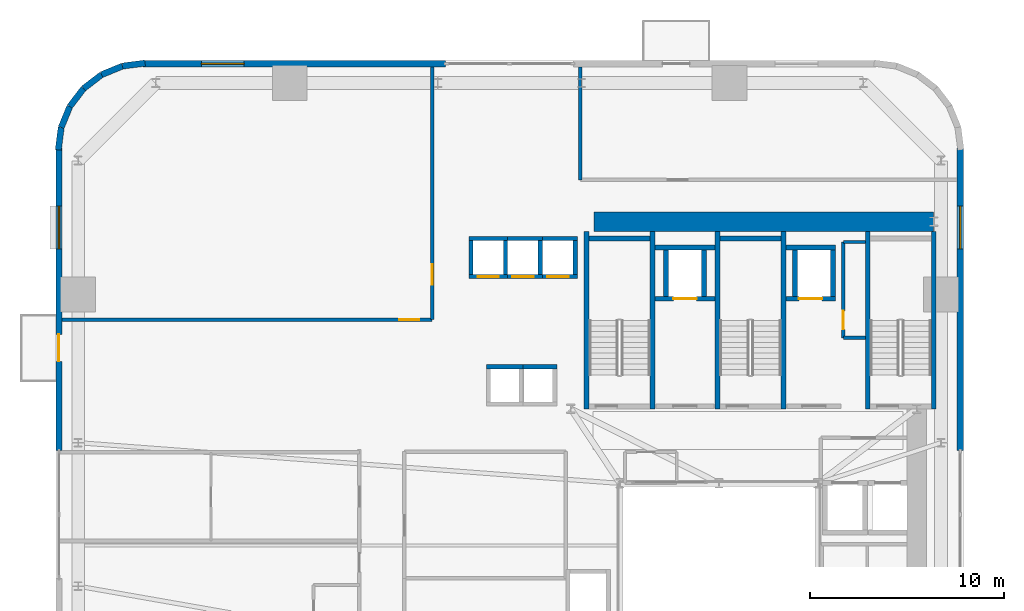
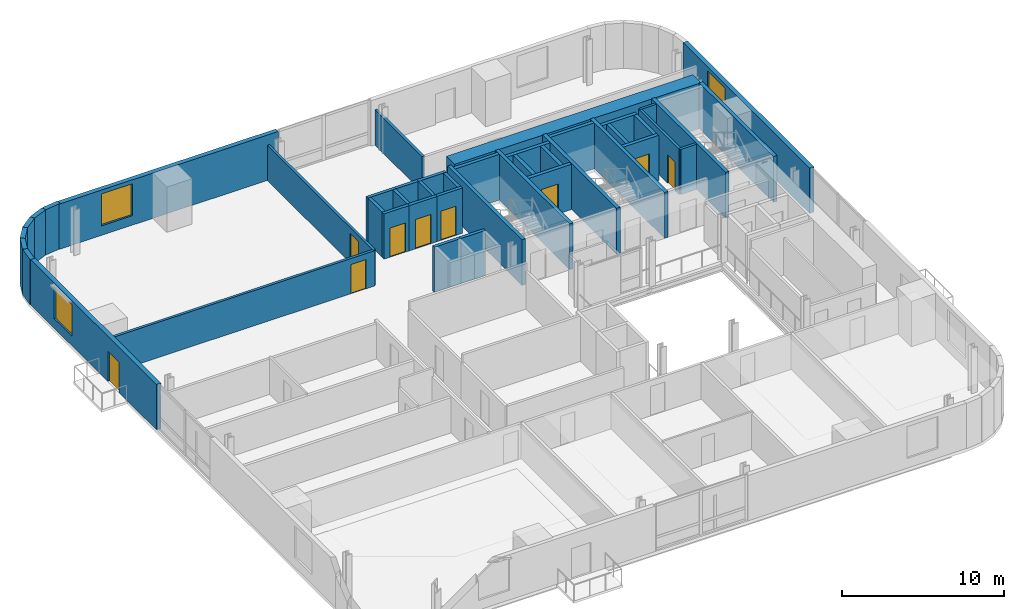
# One storey, part 8 of 13: 44 walls, 9 doors, 3 windows, 12 openings.
"""IFC4 building model written with IfcOpenShell, lengths in metres."""

from ifc_helpers import new_model, si_unit, direction, frame, frame_2d, origin, place, context, subcontext, project, spatial, rectangle, extrude, source, transform, mapped, material, layer, layer_set, type_object, element, fill, save


model = new_model("IFC4")

# Units and contexts
model_context = context("Model", 3, precision=1e-05, world=origin(), true_north=direction((0.0, 1.0)))
body_context = subcontext(model_context, "Body", "Model", "MODEL_VIEW")
ifc_project = project(units=[si_unit("LENGTHUNIT", "METRE"), si_unit("AREAUNIT", "SQUARE_METRE"), si_unit("VOLUMEUNIT", "CUBIC_METRE"), si_unit("PLANEANGLEUNIT", "RADIAN"), si_unit("MASSUNIT", "GRAM", prefix="KILO")], contexts=[model_context])

# Site, building, storey
site_placement = place(None, origin())
site = spatial("IfcSite", under=ifc_project, at=site_placement, CompositionType="ELEMENT")
building_placement = place(site_placement, origin())
building = spatial("IfcBuilding", under=site, at=building_placement, Name="Vardaveli Station Tower", CompositionType="ELEMENT")
storey_placement = place(building_placement, frame((0.0, 0.0, 31.25)))
storey = spatial("IfcBuildingStorey", under=building, at=storey_placement, Name="L07", CompositionType="ELEMENT", Elevation=31.25)

# Wall
ifc_material_1 = material(Name="Concrete C60/75", Category="concrete")
ifc_layer_1 = layer(ifc_material_1, 1.0, Name="Concrete C60/75")
ifc_layer_set_1 = layer_set([ifc_layer_1], Name="Concrete C60/75")
wall_type_1 = type_object("IfcWallType", Name="WAL-CORE-1000", PredefinedType="SHEAR", material=ifc_layer_set_1)
shared_shape_1 = source(origin(), body_context, "Body", "SweptSolid", [
    extrude(rectangle(XDim=17.52001953125, YDim=1.0, at=frame_2d((8.760009765625, 0.0))), origin(), (0.0, 0.0, 1.0), 3.409912109375),
])
wall_1_placement = place(storey_placement, frame((29.85009765625, 40.300048828125, 0.0), z_axis=(0.0, 0.0, 1.0), x_axis=(1.0, 0.0, 0.0)))
element("IfcWall", 1, at=wall_1_placement, inside=storey, type_object=wall_type_1, Name="SW-L07-NORTH", PredefinedType="SHEAR", context=body_context, shape_type="MappedRepresentation", body=[
    mapped(shared_shape_1, transform((0.0, 0.0, 0.0), scale=1.0)),
])

# Wall, opening, window
ifc_material_2 = material(Name="Precast concrete C45/55", Category="concrete")
ifc_layer_2 = layer(ifc_material_2, 0.320068359375, Name="Precast concrete C45/55")
ifc_layer_set_2 = layer_set([ifc_layer_2], Name="Precast concrete C45/55")
wall_type_2 = type_object("IfcWallType", Name="WAL-EXT-STONE-320", PredefinedType="SOLIDWALL", material=ifc_layer_set_2)
shared_shape_2 = source(origin(), body_context, "Body", "SweptSolid", [
    extrude(rectangle(XDim=15.599853515625, YDim=0.320068359375, at=frame_2d((7.7998046875, 0.0))), origin(), (0.0, 0.0, 1.0), 3.409912109375),
])
wall_2_placement = place(storey_placement, frame((22.199951171875, 48.43994140625, 0.0), z_axis=(0.0, 0.0, 1.0), x_axis=(-1.0, 0.0, 0.0)))
wall_2 = element("IfcWall", 2, at=wall_2_placement, inside=storey, type_object=wall_type_2, Name="EW-L07-N2", PredefinedType="SOLIDWALL", context=body_context, shape_type="MappedRepresentation", body=[
    mapped(shared_shape_2, transform((0.0, 0.0, 0.0), scale=1.0)),
])
shared_shape_3 = source(origin(), body_context, "Body", "SweptSolid", [
    extrude(rectangle(XDim=2.199951171875, YDim=2.39990234375, at=frame_2d((1.10009765625, 1.199951171875))), frame((0.0, 0.169921875, 0.0), z_axis=(0.0, -1.0, 0.0), x_axis=(1.0, 0.0, 0.0)), (0.0, 0.0, 1.0), 0.340087890625),
])
opening_1_placement = place(wall_2_placement, frame((10.39501953125, 0.0, 0.719970703125)))
opening_1 = element("IfcOpeningElement", 3, at=opening_1_placement, cuts=wall_2, Name="Opening W-03", PredefinedType="OPENING", context=body_context, shape_type="MappedRepresentation", body=[
    mapped(shared_shape_3, transform((0.0, 0.0, 0.0), scale=1.0)),
])
ifc_material_3 = material(Name="Low-E solar-control glass", Category="glass")
window_type = type_object("IfcWindowType", Name="WIN-LOG-2200x2400", PartitioningType="SINGLE_PANEL", PredefinedType="WINDOW", material=ifc_material_3)
shared_shape_4 = source(origin(), body_context, "Body", "SweptSolid", [
    extrude(rectangle(XDim=2.199951171875, YDim=2.39990234375, at=frame_2d((1.10009765625, 1.199951171875))), frame((0.0, 0.030029296875, 0.0), z_axis=(0.0, -1.0, 0.0), x_axis=(1.0, 0.0, 0.0)), (0.0, 0.0, 1.0), 0.06005859375),
])
window_1_placement = place(opening_1_placement, origin())
window_1 = element("IfcWindow", 4, at=window_1_placement, inside=storey, type_object=window_type, Name="WN-L07-N2", OverallHeight=2.39990234375, OverallWidth=2.199951171875, PartitioningType="SINGLE_PANEL", PredefinedType="WINDOW", context=body_context, shape_type="MappedRepresentation", body=[
    mapped(shared_shape_4, transform((0.0, 0.0, 0.0), scale=1.0)),
])
fill(opening_1, window_1)

# Wall, openings, door, window
shared_shape_5 = source(origin(), body_context, "Body", "SweptSolid", [
    extrude(rectangle(XDim=15.60009765625, YDim=0.320068359375, at=frame_2d((7.800048828125, 0.0))), origin(), (0.0, 0.0, 1.0), 3.409912109375),
])
wall_3_placement = place(storey_placement, frame((2.260009765625, 44.10009765625, 0.0), z_axis=(0.0, 0.0, 1.0), x_axis=(0.0, -1.0, 0.0)))
wall_3 = element("IfcWall", 5, at=wall_3_placement, inside=storey, type_object=wall_type_2, Name="EW-L07-W1", PredefinedType="SOLIDWALL", context=body_context, shape_type="MappedRepresentation", body=[
    mapped(shared_shape_5, transform((0.0, 0.0, 0.0), scale=1.0)),
])
shared_shape_6 = source(origin(), body_context, "Body", "SweptSolid", [
    extrude(rectangle(XDim=1.39990234375, YDim=2.300048828125, at=frame_2d((0.699951171875, 1.14990234375))), frame((0.0, 0.169921875, 0.0), z_axis=(0.0, -1.0, 0.0), x_axis=(1.0, 0.0, 0.0)), (0.0, 0.0, 1.0), 0.340087890625),
])
opening_2_placement = place(wall_3_placement, frame((9.6103515625, 0.0, 0.0)))
opening_2 = element("IfcOpeningElement", 6, at=opening_2_placement, cuts=wall_3, Name="Opening D-09", PredefinedType="OPENING", context=body_context, shape_type="MappedRepresentation", body=[
    mapped(shared_shape_6, transform((0.0, 0.0, 0.0), scale=1.0)),
])
opening_3_placement = place(wall_3_placement, frame((3.0048828125, 0.0, 0.719970703125)))
opening_3 = element("IfcOpeningElement", 7, at=opening_3_placement, cuts=wall_3, Name="Opening W-03", PredefinedType="OPENING", context=body_context, shape_type="MappedRepresentation", body=[
    mapped(shared_shape_3, transform((0.0, 0.0, 0.0), scale=1.0)),
])
ifc_material_4 = material(Name="Thermally broken aluminium glass", Category="aluminium")
door_type_1 = type_object("IfcDoorType", Name="DR-LOG-1400x2300", OperationType="DOUBLE_DOOR_SLIDING", PredefinedType="DOOR", material=ifc_material_4)
shared_shape_7 = source(origin(), body_context, "Body", "SweptSolid", [
    extrude(rectangle(XDim=1.39990234375, YDim=2.300048828125, at=frame_2d((0.699951171875, 1.14990234375))), frame((0.0, 0.02490234375, 0.0), z_axis=(0.0, -1.0, 0.0), x_axis=(1.0, 0.0, 0.0)), (0.0, 0.0, 1.0), 0.050048828125),
])
door_1_placement = place(opening_2_placement, frame((1.39990234375, 0.0, 0.0), z_axis=(0.0, 0.0, 1.0), x_axis=(-1.0, 0.0, 0.0)))
door_1 = element("IfcDoor", 8, at=door_1_placement, inside=storey, type_object=door_type_1, Name="DLG-L07-W", OperationType="DOUBLE_DOOR_SLIDING", OverallHeight=2.300048828125, OverallWidth=1.39990234375, PredefinedType="DOOR", context=body_context, shape_type="MappedRepresentation", body=[
    mapped(shared_shape_7, transform((0.0, 0.0, 0.0), scale=1.0)),
])
fill(opening_2, door_1)
window_2_placement = place(opening_3_placement, origin())
window_2 = element("IfcWindow", 9, at=window_2_placement, inside=storey, type_object=window_type, Name="WN-L07-W1", OverallHeight=2.39990234375, OverallWidth=2.199951171875, PartitioningType="SINGLE_PANEL", PredefinedType="WINDOW", context=body_context, shape_type="MappedRepresentation", body=[
    mapped(shared_shape_4, transform((0.0, 0.0, 0.0), scale=1.0)),
])
fill(opening_3, window_2)

# Wall, opening, window
wall_4_placement = place(storey_placement, frame((48.739990234375, 28.5, 0.0), z_axis=(0.0, 0.0, 1.0), x_axis=(0.0, 1.0, 0.0)))
wall_4 = element("IfcWall", 10, at=wall_4_placement, inside=storey, type_object=wall_type_2, Name="EW-L07-E2", PredefinedType="SOLIDWALL", context=body_context, shape_type="MappedRepresentation", body=[
    mapped(shared_shape_5, transform((0.0, 0.0, 0.0), scale=1.0)),
])
opening_4_placement = place(wall_4_placement, frame((10.39501953125, 0.0, 0.719970703125)))
opening_4 = element("IfcOpeningElement", 11, at=opening_4_placement, cuts=wall_4, Name="Opening W-03", PredefinedType="OPENING", context=body_context, shape_type="MappedRepresentation", body=[
    mapped(shared_shape_3, transform((0.0, 0.0, 0.0), scale=1.0)),
])
window_3_placement = place(opening_4_placement, origin())
window_3 = element("IfcWindow", 12, at=window_3_placement, inside=storey, type_object=window_type, Name="WN-L07-E2", OverallHeight=2.39990234375, OverallWidth=2.199951171875, PartitioningType="SINGLE_PANEL", PredefinedType="WINDOW", context=body_context, shape_type="MappedRepresentation", body=[
    mapped(shared_shape_4, transform((0.0, 0.0, 0.0), scale=1.0)),
])
fill(opening_4, window_3)

# Walls
shared_shape_8 = source(origin(), body_context, "Body", "SweptSolid", [
    extrude(rectangle(XDim=1.1689453125, YDim=0.320068359375, at=frame_2d((0.58447265625, 0.0))), origin(), (0.0, 0.0, 1.0), 3.409912109375),
])
wall_5_placement = place(storey_placement, frame((3.53125, 47.1689453125, 0.0), z_axis=(0.0, 0.0, 1.0), x_axis=(-0.608387696831, -0.793639975269, 0.0)))
element("IfcWall", 13, at=wall_5_placement, inside=storey, type_object=wall_type_2, Name="EW-L07-CR4-4", PredefinedType="SOLIDWALL", context=body_context, shape_type="MappedRepresentation", body=[
    mapped(shared_shape_8, transform((0.0, 0.0, 0.0), scale=1.0)),
])
shared_shape_9 = source(origin(), body_context, "Body", "SweptSolid", [
    extrude(rectangle(XDim=1.168701171875, YDim=0.320068359375, at=frame_2d((0.58447265625, 0.0))), origin(), (0.0, 0.0, 1.0), 3.409912109375),
])
wall_6_placement = place(storey_placement, frame((4.458740234375, 47.8798828125, 0.0), z_axis=(0.0, 0.0, 1.0), x_axis=(-0.793663520347, -0.608356981114, 0.0)))
element("IfcWall", 14, at=wall_6_placement, inside=storey, type_object=wall_type_2, Name="EW-L07-CR4-3", PredefinedType="SOLIDWALL", context=body_context, shape_type="MappedRepresentation", body=[
    mapped(shared_shape_9, transform((0.0, 0.0, 0.0), scale=1.0)),
])
shared_shape_10 = source(origin(), body_context, "Body", "SweptSolid", [
    extrude(rectangle(XDim=1.17041015625, YDim=0.320068359375, at=frame_2d((0.585205078125, 0.0))), origin(), (0.0, 0.0, 1.0), 3.409912109375),
])
for number, where, z_axis, x_axis, name in (
    (15, (6.700439453125, 48.4755859375, 0.0), (0.0, 0.0, 1.0), (-0.991735963317, -0.128295670475, 0.0), "EW-L07-CR4-1"),
    (16, (2.37451171875, 45.16015625, 0.0), (0.0, 0.0, 1.0), (-0.128295670475, -0.991735963317, 0.0), "EW-L07-CR4-6"),
):
    element("IfcWall", number, at=place(storey_placement, frame(where, z_axis=z_axis, x_axis=x_axis)), inside=storey, type_object=wall_type_2, Name=name, PredefinedType="SOLIDWALL", context=body_context, shape_type="MappedRepresentation", body=[
        mapped(shared_shape_10, transform((0.0, 0.0, 0.0), scale=1.0)),
    ])
shared_shape_11 = source(origin(), body_context, "Body", "SweptSolid", [
    extrude(rectangle(XDim=1.169189453125, YDim=0.320068359375, at=frame_2d((0.58447265625, 0.0))), origin(), (0.0, 0.0, 1.0), 3.409912109375),
])
for number, where, z_axis, x_axis, name in (
    (17, (5.539794921875, 48.325439453125, 0.0), (0.0, 0.0, 1.0), (-0.924552646638, -0.381054331552, 0.0), "EW-L07-CR4-2"),
    (18, (2.820068359375, 46.2412109375, 0.0), (0.0, 0.0, 1.0), (-0.381054331552, -0.924552646638, 0.0), "EW-L07-CR4-5"),
):
    element("IfcWall", number, at=place(storey_placement, frame(where, z_axis=z_axis, x_axis=x_axis)), inside=storey, type_object=wall_type_2, Name=name, PredefinedType="SOLIDWALL", context=body_context, shape_type="MappedRepresentation", body=[
        mapped(shared_shape_11, transform((0.0, 0.0, 0.0), scale=1.0)),
    ])
ifc_material_5 = material(Name="Concrete C40/50", Category="concrete")
ifc_layer_3 = layer(ifc_material_5, 0.25, Name="Concrete C40/50")
ifc_layer_set_3 = layer_set([ifc_layer_3], Name="Concrete C40/50")
wall_type_3 = type_object("IfcWallType", Name="WAL-SHAFT-250", PredefinedType="SOLIDWALL", material=ifc_layer_set_3)
shared_shape_12 = source(origin(), body_context, "Body", "SweptSolid", [
    extrude(rectangle(XDim=9.150146484375, YDim=0.25, at=frame_2d((4.5751953125, 0.0))), origin(), (0.0, 0.0, 1.0), 3.449951171875),
])
for number, where, z_axis, x_axis, name in (
    (19, (29.47509765625, 30.64990234375, 0.0), (0.0, 0.0, 1.0), (0.0, 1.0, 0.0), "W-L07-ST-1W"),
    (20, (32.875, 30.64990234375, 0.0), (0.0, 0.0, 1.0), (0.0, 1.0, 0.0), "W-L07-ST-1E"),
    (21, (36.22509765625, 30.64990234375, 0.0), (0.0, 0.0, 1.0), (0.0, 1.0, 0.0), "W-L07-ST-2W"),
    (22, (39.625, 30.64990234375, 0.0), (0.0, 0.0, 1.0), (0.0, 1.0, 0.0), "W-L07-ST-2E"),
    (23, (43.97509765625, 30.64990234375, 0.0), (0.0, 0.0, 1.0), (0.0, 1.0, 0.0), "W-L07-ST-3W"),
    (24, (47.375, 30.64990234375, 0.0), (0.0, 0.0, 1.0), (0.0, 1.0, 0.0), "W-L07-ST-3E"),
):
    element("IfcWall", number, at=place(storey_placement, frame(where, z_axis=z_axis, x_axis=x_axis)), inside=storey, type_object=wall_type_3, Name=name, PredefinedType="SOLIDWALL", context=body_context, shape_type="MappedRepresentation", body=[
        mapped(shared_shape_12, transform((0.0, 0.0, 0.0), scale=1.0)),
    ])
shared_shape_13 = source(origin(), body_context, "Body", "SweptSolid", [
    extrude(rectangle(XDim=3.14990234375, YDim=0.25, at=frame_2d((1.574951171875, 0.0))), origin(), (0.0, 0.0, 1.0), 3.449951171875),
])
for number, where, z_axis, x_axis, name in (
    (25, (29.60009765625, 39.425048828125, 0.0), (0.0, 0.0, 1.0), (1.0, 0.0, 0.0), "W-L07-ST-1N"),
    (26, (36.35009765625, 39.425048828125, 0.0), (0.0, 0.0, 1.0), (1.0, 0.0, 0.0), "W-L07-ST-2N"),
):
    element("IfcWall", number, at=place(storey_placement, frame(where, z_axis=z_axis, x_axis=x_axis)), inside=storey, type_object=wall_type_3, Name=name, PredefinedType="SOLIDWALL", context=body_context, shape_type="MappedRepresentation", body=[
        mapped(shared_shape_13, transform((0.0, 0.0, 0.0), scale=1.0)),
    ])
ifc_layer_4 = layer(ifc_material_5, 0.219970703125, Name="Concrete C40/50")
ifc_layer_set_4 = layer_set([ifc_layer_4], Name="Concrete C40/50")
wall_type_4 = type_object("IfcWallType", Name="WAL-FFLOBBY-220", PredefinedType="SOLIDWALL", material=ifc_layer_set_4)
shared_shape_14 = source(origin(), body_context, "Body", "SweptSolid", [
    extrude(rectangle(XDim=1.75, YDim=0.219970703125, at=frame_2d((0.875, 0.0))), origin(), (0.0, 0.0, 1.0), 3.409912109375),
])
for number, where, z_axis, x_axis, name in (
    (27, (23.514892578125, 37.574951171875, 0.0), (0.0, 0.0, 1.0), (0.0, 1.0, 0.0), "SHW-HL1-01-L07-W"),
    (28, (25.284912109375, 37.574951171875, 0.0), (0.0, 0.0, 1.0), (0.0, 1.0, 0.0), "SHW-HL1-01-L07-E"),
    (29, (27.0849609375, 37.574951171875, 0.0), (0.0, 0.0, 1.0), (0.0, 1.0, 0.0), "SHW-HL1-02-L07-E"),
    (30, (28.885009765625, 37.574951171875, 0.0), (0.0, 0.0, 1.0), (0.0, 1.0, 0.0), "SHW-HL1-03-L07-E"),
):
    element("IfcWall", number, at=place(storey_placement, frame(where, z_axis=z_axis, x_axis=x_axis)), inside=storey, type_object=wall_type_4, Name=name, PredefinedType="SOLIDWALL", context=body_context, shape_type="MappedRepresentation", body=[
        mapped(shared_shape_14, transform((0.0, 0.0, 0.0), scale=1.0)),
    ])

# Wall, opening, door
shared_shape_15 = source(origin(), body_context, "Body", "SweptSolid", [
    extrude(rectangle(XDim=1.989990234375, YDim=0.219970703125, at=frame_2d((0.9951171875, 0.0))), origin(), (0.0, 0.0, 1.0), 3.409912109375),
])
wall_7_placement = place(storey_placement, frame((23.405029296875, 37.465087890625, 0.0), z_axis=(0.0, 0.0, 1.0), x_axis=(1.0, 0.0, 0.0)))
wall_7 = element("IfcWall", 31, at=wall_7_placement, inside=storey, type_object=wall_type_4, Name="SHW-HL1-01-L07-S", PredefinedType="SOLIDWALL", context=body_context, shape_type="MappedRepresentation", body=[
    mapped(shared_shape_15, transform((0.0, 0.0, 0.0), scale=1.0)),
])
shared_shape_16 = source(origin(), body_context, "Body", "SweptSolid", [
    extrude(rectangle(XDim=1.10009765625, YDim=2.199951171875, at=frame_2d((0.550048828125, 1.10009765625))), frame((0.0, 0.1201171875, 0.0), z_axis=(0.0, -1.0, 0.0), x_axis=(1.0, 0.0, 0.0)), (0.0, 0.0, 1.0), 0.239990234375),
])
opening_5_placement = place(wall_7_placement, frame((0.445068359375, 0.0, 0.0)))
opening_5 = element("IfcOpeningElement", 32, at=opening_5_placement, cuts=wall_7, Name="Opening LD-01", PredefinedType="OPENING", context=body_context, shape_type="MappedRepresentation", body=[
    mapped(shared_shape_16, transform((0.0, 0.0, 0.0), scale=1.0)),
])
ifc_material_6 = material(Name="Brushed stainless steel", Category="steel")
door_type_2 = type_object("IfcDoorType", Name="DR-LD-1100x2200", OperationType="DOUBLE_DOOR_SLIDING", PredefinedType="DOOR", material=ifc_material_6)
shared_shape_17 = source(origin(), body_context, "Body", "SweptSolid", [
    extrude(rectangle(XDim=1.10009765625, YDim=2.199951171875, at=frame_2d((0.550048828125, 1.10009765625))), frame((0.0, 0.02490234375, 0.0), z_axis=(0.0, -1.0, 0.0), x_axis=(1.0, 0.0, 0.0)), (0.0, 0.0, 1.0), 0.050048828125),
])
door_2_placement = place(opening_5_placement, origin())
door_2 = element("IfcDoor", 33, at=door_2_placement, inside=storey, type_object=door_type_2, Name="LD-HL1-01-L07", OperationType="DOUBLE_DOOR_SLIDING", OverallHeight=2.199951171875, OverallWidth=1.10009765625, PredefinedType="DOOR", context=body_context, shape_type="MappedRepresentation", body=[
    mapped(shared_shape_17, transform((0.0, 0.0, 0.0), scale=1.0)),
])
fill(opening_5, door_2)

# Wall
wall_8_placement = place(storey_placement, frame((23.405029296875, 39.43505859375, 0.0), z_axis=(0.0, 0.0, 1.0), x_axis=(1.0, 0.0, 0.0)))
element("IfcWall", 34, at=wall_8_placement, inside=storey, type_object=wall_type_4, Name="SHW-HL1-01-L07-N", PredefinedType="SOLIDWALL", context=body_context, shape_type="MappedRepresentation", body=[
    mapped(shared_shape_15, transform((0.0, 0.0, 0.0), scale=1.0)),
])

# Wall, opening, door
wall_9_placement = place(storey_placement, frame((25.205078125, 37.465087890625, 0.0), z_axis=(0.0, 0.0, 1.0), x_axis=(1.0, 0.0, 0.0)))
wall_9 = element("IfcWall", 35, at=wall_9_placement, inside=storey, type_object=wall_type_4, Name="SHW-HL1-02-L07-S", PredefinedType="SOLIDWALL", context=body_context, shape_type="MappedRepresentation", body=[
    mapped(shared_shape_15, transform((0.0, 0.0, 0.0), scale=1.0)),
])
opening_6_placement = place(wall_9_placement, frame((0.445068359375, 0.0, 0.0)))
opening_6 = element("IfcOpeningElement", 36, at=opening_6_placement, cuts=wall_9, Name="Opening LD-01", PredefinedType="OPENING", context=body_context, shape_type="MappedRepresentation", body=[
    mapped(shared_shape_16, transform((0.0, 0.0, 0.0), scale=1.0)),
])
door_3_placement = place(opening_6_placement, origin())
door_3 = element("IfcDoor", 37, at=door_3_placement, inside=storey, type_object=door_type_2, Name="LD-HL1-02-L07", OperationType="DOUBLE_DOOR_SLIDING", OverallHeight=2.199951171875, OverallWidth=1.10009765625, PredefinedType="DOOR", context=body_context, shape_type="MappedRepresentation", body=[
    mapped(shared_shape_17, transform((0.0, 0.0, 0.0), scale=1.0)),
])
fill(opening_6, door_3)

# Wall
wall_10_placement = place(storey_placement, frame((25.205078125, 39.43505859375, 0.0), z_axis=(0.0, 0.0, 1.0), x_axis=(1.0, 0.0, 0.0)))
element("IfcWall", 38, at=wall_10_placement, inside=storey, type_object=wall_type_4, Name="SHW-HL1-02-L07-N", PredefinedType="SOLIDWALL", context=body_context, shape_type="MappedRepresentation", body=[
    mapped(shared_shape_15, transform((0.0, 0.0, 0.0), scale=1.0)),
])

# Wall, opening, door
shared_shape_18 = source(origin(), body_context, "Body", "SweptSolid", [
    extrude(rectangle(XDim=1.990234375, YDim=0.219970703125, at=frame_2d((0.9951171875, 0.0))), origin(), (0.0, 0.0, 1.0), 3.409912109375),
])
wall_11_placement = place(storey_placement, frame((27.0048828125, 37.465087890625, 0.0), z_axis=(0.0, 0.0, 1.0), x_axis=(1.0, 0.0, 0.0)))
wall_11 = element("IfcWall", 39, at=wall_11_placement, inside=storey, type_object=wall_type_4, Name="SHW-HL1-03-L07-S", PredefinedType="SOLIDWALL", context=body_context, shape_type="MappedRepresentation", body=[
    mapped(shared_shape_18, transform((0.0, 0.0, 0.0), scale=1.0)),
])
opening_7_placement = place(wall_11_placement, frame((0.445068359375, 0.0, 0.0)))
opening_7 = element("IfcOpeningElement", 40, at=opening_7_placement, cuts=wall_11, Name="Opening LD-01", PredefinedType="OPENING", context=body_context, shape_type="MappedRepresentation", body=[
    mapped(shared_shape_16, transform((0.0, 0.0, 0.0), scale=1.0)),
])
door_4_placement = place(opening_7_placement, origin())
door_4 = element("IfcDoor", 41, at=door_4_placement, inside=storey, type_object=door_type_2, Name="LD-HL1-03-L07", OperationType="DOUBLE_DOOR_SLIDING", OverallHeight=2.199951171875, OverallWidth=1.10009765625, PredefinedType="DOOR", context=body_context, shape_type="MappedRepresentation", body=[
    mapped(shared_shape_17, transform((0.0, 0.0, 0.0), scale=1.0)),
])
fill(opening_7, door_4)

# Wall
wall_12_placement = place(storey_placement, frame((27.0048828125, 39.43505859375, 0.0), z_axis=(0.0, 0.0, 1.0), x_axis=(1.0, 0.0, 0.0)))
element("IfcWall", 42, at=wall_12_placement, inside=storey, type_object=wall_type_4, Name="SHW-HL1-03-L07-N", PredefinedType="SOLIDWALL", context=body_context, shape_type="MappedRepresentation", body=[
    mapped(shared_shape_18, transform((0.0, 0.0, 0.0), scale=1.0)),
])

# Wall, opening, door
shared_shape_19 = source(origin(), body_context, "Body", "SweptSolid", [
    extrude(rectangle(XDim=3.10009765625, YDim=0.25, at=frame_2d((1.550048828125, 0.0))), origin(), (0.0, 0.0, 1.0), 3.409912109375),
])
wall_13_placement = place(storey_placement, frame((33.0, 36.324951171875, 0.0), z_axis=(0.0, 0.0, 1.0), x_axis=(1.0, 0.0, 0.0)))
wall_13 = element("IfcWall", 43, at=wall_13_placement, inside=storey, type_object=wall_type_3, Name="SHW-FFL-01-L07-S", PredefinedType="SOLIDWALL", context=body_context, shape_type="MappedRepresentation", body=[
    mapped(shared_shape_19, transform((0.0, 0.0, 0.0), scale=1.0)),
])
shared_shape_20 = source(origin(), body_context, "Body", "SweptSolid", [
    extrude(rectangle(XDim=1.199951171875, YDim=2.25, at=frame_2d((0.60009765625, 1.125))), frame((0.0, 0.135009765625, 0.0), z_axis=(0.0, -1.0, 0.0), x_axis=(1.0, 0.0, 0.0)), (0.0, 0.0, 1.0), 0.27001953125),
])
opening_8_placement = place(wall_13_placement, frame((0.949951171875, 0.0, 0.0)))
opening_8 = element("IfcOpeningElement", 44, at=opening_8_placement, cuts=wall_13, Name="Opening LD-02", PredefinedType="OPENING", context=body_context, shape_type="MappedRepresentation", body=[
    mapped(shared_shape_20, transform((0.0, 0.0, 0.0), scale=1.0)),
])
door_type_3 = type_object("IfcDoorType", Name="DR-LD-1200x2250", OperationType="DOUBLE_DOOR_SLIDING", PredefinedType="DOOR", material=ifc_material_6)
shared_shape_21 = source(origin(), body_context, "Body", "SweptSolid", [
    extrude(rectangle(XDim=1.199951171875, YDim=2.25, at=frame_2d((0.60009765625, 1.125))), frame((0.0, 0.02490234375, 0.0), z_axis=(0.0, -1.0, 0.0), x_axis=(1.0, 0.0, 0.0)), (0.0, 0.0, 1.0), 0.050048828125),
])
door_5_placement = place(opening_8_placement, origin())
door_5 = element("IfcDoor", 45, at=door_5_placement, inside=storey, type_object=door_type_3, Name="LD-FFL-01-L07", OperationType="DOUBLE_DOOR_SLIDING", OverallHeight=2.25, OverallWidth=1.199951171875, PredefinedType="DOOR", context=body_context, shape_type="MappedRepresentation", body=[
    mapped(shared_shape_21, transform((0.0, 0.0, 0.0), scale=1.0)),
])
fill(opening_8, door_5)

# Walls
wall_14_placement = place(storey_placement, frame((33.0, 38.97509765625, 0.0), z_axis=(0.0, 0.0, 1.0), x_axis=(1.0, 0.0, 0.0)))
element("IfcWall", 46, at=wall_14_placement, inside=storey, type_object=wall_type_3, Name="SHW-FFL-01-L07-N", PredefinedType="SOLIDWALL", context=body_context, shape_type="MappedRepresentation", body=[
    mapped(shared_shape_19, transform((0.0, 0.0, 0.0), scale=1.0)),
])
shared_shape_22 = source(origin(), body_context, "Body", "SweptSolid", [
    extrude(rectangle(XDim=2.400146484375, YDim=0.25, at=frame_2d((1.2001953125, 0.0))), origin(), (0.0, 0.0, 1.0), 3.409912109375),
])
for number, where, z_axis, x_axis, name in (
    (47, (33.574951171875, 36.449951171875, 0.0), (0.0, 0.0, 1.0), (0.0, 1.0, 0.0), "SHW-FFL-01-L07-W"),
    (48, (35.52490234375, 36.449951171875, 0.0), (0.0, 0.0, 1.0), (0.0, 1.0, 0.0), "SHW-FFL-01-L07-E"),
    (49, (40.22509765625, 36.449951171875, 0.0), (0.0, 0.0, 1.0), (0.0, 1.0, 0.0), "SHW-FFL-02-L07-W"),
    (50, (42.175048828125, 36.449951171875, 0.0), (0.0, 0.0, 1.0), (0.0, 1.0, 0.0), "SHW-FFL-02-L07-E"),
):
    element("IfcWall", number, at=place(storey_placement, frame(where, z_axis=z_axis, x_axis=x_axis)), inside=storey, type_object=wall_type_3, Name=name, PredefinedType="SOLIDWALL", context=body_context, shape_type="MappedRepresentation", body=[
        mapped(shared_shape_22, transform((0.0, 0.0, 0.0), scale=1.0)),
    ])

# Wall, opening, door
shared_shape_23 = source(origin(), body_context, "Body", "SweptSolid", [
    extrude(rectangle(XDim=2.550048828125, YDim=0.25, at=frame_2d((1.27490234375, 0.0))), origin(), (0.0, 0.0, 1.0), 3.409912109375),
])
wall_15_placement = place(storey_placement, frame((39.75, 36.324951171875, 0.0), z_axis=(0.0, 0.0, 1.0), x_axis=(1.0, 0.0, 0.0)))
wall_15 = element("IfcWall", 51, at=wall_15_placement, inside=storey, type_object=wall_type_3, Name="SHW-FFL-02-L07-S", PredefinedType="SOLIDWALL", context=body_context, shape_type="MappedRepresentation", body=[
    mapped(shared_shape_23, transform((0.0, 0.0, 0.0), scale=1.0)),
])
opening_9_placement = place(wall_15_placement, frame((0.675048828125, 0.0, 0.0)))
opening_9 = element("IfcOpeningElement", 52, at=opening_9_placement, cuts=wall_15, Name="Opening LD-02", PredefinedType="OPENING", context=body_context, shape_type="MappedRepresentation", body=[
    mapped(shared_shape_20, transform((0.0, 0.0, 0.0), scale=1.0)),
])
door_6_placement = place(opening_9_placement, origin())
door_6 = element("IfcDoor", 53, at=door_6_placement, inside=storey, type_object=door_type_3, Name="LD-FFL-02-L07", OperationType="DOUBLE_DOOR_SLIDING", OverallHeight=2.25, OverallWidth=1.199951171875, PredefinedType="DOOR", context=body_context, shape_type="MappedRepresentation", body=[
    mapped(shared_shape_21, transform((0.0, 0.0, 0.0), scale=1.0)),
])
fill(opening_9, door_6)

# Walls
wall_16_placement = place(storey_placement, frame((39.75, 38.97509765625, 0.0), z_axis=(0.0, 0.0, 1.0), x_axis=(1.0, 0.0, 0.0)))
element("IfcWall", 54, at=wall_16_placement, inside=storey, type_object=wall_type_3, Name="SHW-FFL-02-L07-N", PredefinedType="SOLIDWALL", context=body_context, shape_type="MappedRepresentation", body=[
    mapped(shared_shape_23, transform((0.0, 0.0, 0.0), scale=1.0)),
])
shared_shape_24 = source(origin(), body_context, "Body", "SweptSolid", [
    extrude(rectangle(XDim=1.89013671875, YDim=0.219970703125, at=frame_2d((0.945068359375, 0.0))), origin(), (0.0, 0.0, 1.0), 3.409912109375),
])
for number, where, z_axis, x_axis, name in (
    (55, (24.304931640625, 32.81005859375, 0.0), (0.0, 0.0, 1.0), (1.0, 0.0, 0.0), "SHW-SHU-01-L07-N"),
    (56, (26.054931640625, 32.81005859375, 0.0), (0.0, 0.0, 1.0), (1.0, 0.0, 0.0), "SHW-SHU-02-L07-N"),
):
    element("IfcWall", number, at=place(storey_placement, frame(where, z_axis=z_axis, x_axis=x_axis)), inside=storey, type_object=wall_type_4, Name=name, PredefinedType="SOLIDWALL", context=body_context, shape_type="MappedRepresentation", body=[
        mapped(shared_shape_24, transform((0.0, 0.0, 0.0), scale=1.0)),
    ])

# Wall, opening, door
ifc_material_7 = material(Name="Fire-rated gypsum stud partition")
ifc_layer_5 = layer(ifc_material_7, 0.179931640625, Name="Fire-rated gypsum stud partition")
ifc_layer_set_5 = layer_set([ifc_layer_5], Name="Fire-rated gypsum stud partition")
wall_type_5 = type_object("IfcWallType", Name="WAL-CORR-180", PredefinedType="PARTITIONING", material=ifc_layer_set_5)
shared_shape_25 = source(origin(), body_context, "Body", "SweptSolid", [
    extrude(rectangle(XDim=19.077880859375, YDim=0.179931640625, at=frame_2d((9.5390625, 0.0))), origin(), (0.0, 0.0, 1.0), 2.652099609375),
])
wall_17_placement = place(storey_placement, frame((2.422119140625, 35.25, 0.0), z_axis=(0.0, 0.0, 1.0), x_axis=(1.0, 0.0, 0.0)))
wall_17 = element("IfcWall", 57, at=wall_17_placement, inside=storey, type_object=wall_type_5, Name="W-L07-CNWS", PredefinedType="PARTITIONING", context=body_context, shape_type="MappedRepresentation", body=[
    mapped(shared_shape_25, transform((0.0, 0.0, 0.0), scale=1.0)),
])
shared_shape_26 = source(origin(), body_context, "Body", "SweptSolid", [
    extrude(rectangle(XDim=1.050048828125, YDim=2.199951171875, at=frame_2d((0.52490234375, 1.10009765625))), frame((0.0, 0.10009765625, 0.0), z_axis=(0.0, -1.0, 0.0), x_axis=(1.0, 0.0, 0.0)), (0.0, 0.0, 1.0), 0.199951171875),
])
opening_10_placement = place(wall_17_placement, frame((17.3779296875, 0.0, 0.0)))
opening_10 = element("IfcOpeningElement", 58, at=opening_10_placement, cuts=wall_17, Name="Opening D-05", PredefinedType="OPENING", context=body_context, shape_type="MappedRepresentation", body=[
    mapped(shared_shape_26, transform((0.0, 0.0, 0.0), scale=1.0)),
])
ifc_material_8 = material(Name="Walnut veneer acoustic fire door")
door_type_4 = type_object("IfcDoorType", Name="DR-SUITE-1050x2200", OperationType="NOTDEFINED", PredefinedType="DOOR", material=ifc_material_8)
shared_shape_27 = source(origin(), body_context, "Body", "SweptSolid", [
    extrude(rectangle(XDim=1.050048828125, YDim=2.199951171875, at=frame_2d((0.52490234375, 1.10009765625))), frame((0.0, 0.02490234375, 0.0), z_axis=(0.0, -1.0, 0.0), x_axis=(1.0, 0.0, 0.0)), (0.0, 0.0, 1.0), 0.050048828125),
])
door_7_placement = place(opening_10_placement, origin())
door_7 = element("IfcDoor", 59, at=door_7_placement, inside=storey, type_object=door_type_4, Name="D-L07-GNW1", OperationType="SINGLE_SWING_LEFT", OverallHeight=2.199951171875, OverallWidth=1.050048828125, PredefinedType="DOOR", context=body_context, shape_type="MappedRepresentation", body=[
    mapped(shared_shape_27, transform((0.0, 0.0, 0.0), scale=1.0)),
])
fill(opening_10, door_7)

shared_shape_28 = source(origin(), body_context, "Body", "SweptSolid", [
    extrude(rectangle(XDim=13.028076171875, YDim=0.179931640625, at=frame_2d((6.51416015625, 0.0))), origin(), (0.0, 0.0, 1.0), 2.652099609375),
])
wall_18_placement = place(storey_placement, frame((21.5, 35.25, 0.0), z_axis=(0.0, 0.0, 1.0), x_axis=(0.0, 1.0, 0.0)))
wall_18 = element("IfcWall", 60, at=wall_18_placement, inside=storey, type_object=wall_type_5, Name="W-L07-CNWE", PredefinedType="PARTITIONING", context=body_context, shape_type="MappedRepresentation", body=[
    mapped(shared_shape_28, transform((0.0, 0.0, 0.0), scale=1.0)),
])
opening_11_placement = place(wall_18_placement, frame((1.800048828125, 0.0, 0.0)))
opening_11 = element("IfcOpeningElement", 61, at=opening_11_placement, cuts=wall_18, Name="Opening D-05", PredefinedType="OPENING", context=body_context, shape_type="MappedRepresentation", body=[
    mapped(shared_shape_26, transform((0.0, 0.0, 0.0), scale=1.0)),
])
door_8_placement = place(opening_11_placement, origin())
door_8 = element("IfcDoor", 62, at=door_8_placement, inside=storey, type_object=door_type_4, Name="D-L07-GNWE", OperationType="SINGLE_SWING_LEFT", OverallHeight=2.199951171875, OverallWidth=1.050048828125, PredefinedType="DOOR", context=body_context, shape_type="MappedRepresentation", body=[
    mapped(shared_shape_27, transform((0.0, 0.0, 0.0), scale=1.0)),
])
fill(opening_11, door_8)

shared_shape_29 = source(origin(), body_context, "Body", "SweptSolid", [
    extrude(rectangle(XDim=4.949951171875, YDim=0.179931640625, at=frame_2d((2.47509765625, 0.0))), origin(), (0.0, 0.0, 1.0), 3.409912109375),
])
wall_19_placement = place(storey_placement, frame((42.719970703125, 34.300048828125, 0.0), z_axis=(0.0, 0.0, 1.0), x_axis=(0.0, 1.0, 0.0)))
wall_19 = element("IfcWall", 63, at=wall_19_placement, inside=storey, type_object=wall_type_5, Name="W-L07-CBS1-W", PredefinedType="PARTITIONING", context=body_context, shape_type="MappedRepresentation", body=[
    mapped(shared_shape_29, transform((0.0, 0.0, 0.0), scale=1.0)),
])
shared_shape_30 = source(origin(), body_context, "Body", "SweptSolid", [
    extrude(rectangle(XDim=0.949951171875, YDim=2.14990234375, at=frame_2d((0.47509765625, 1.074951171875))), frame((0.0, 0.10009765625, 0.0), z_axis=(0.0, -1.0, 0.0), x_axis=(1.0, 0.0, 0.0)), (0.0, 0.0, 1.0), 0.199951171875),
])
opening_12_placement = place(wall_19_placement, frame((0.449951171875, 0.0, 0.0)))
opening_12 = element("IfcOpeningElement", 64, at=opening_12_placement, cuts=wall_19, Name="Opening D-06", PredefinedType="OPENING", context=body_context, shape_type="MappedRepresentation", body=[
    mapped(shared_shape_30, transform((0.0, 0.0, 0.0), scale=1.0)),
])
ifc_material_9 = material(Name="Oak veneer acoustic fire door")
door_type_5 = type_object("IfcDoorType", Name="DR-GUEST-950x2150", OperationType="NOTDEFINED", PredefinedType="DOOR", material=ifc_material_9)
shared_shape_31 = source(origin(), body_context, "Body", "SweptSolid", [
    extrude(rectangle(XDim=0.949951171875, YDim=2.14990234375, at=frame_2d((0.47509765625, 1.074951171875))), frame((0.0, 0.02490234375, 0.0), z_axis=(0.0, -1.0, 0.0), x_axis=(1.0, 0.0, 0.0)), (0.0, 0.0, 1.0), 0.050048828125),
])
door_9_placement = place(opening_12_placement, origin())
door_9 = element("IfcDoor", 65, at=door_9_placement, inside=storey, type_object=door_type_5, Name="D-L07-HKP", OperationType="SINGLE_SWING_LEFT", OverallHeight=2.14990234375, OverallWidth=0.949951171875, PredefinedType="DOOR", context=body_context, shape_type="MappedRepresentation", body=[
    mapped(shared_shape_31, transform((0.0, 0.0, 0.0), scale=1.0)),
])
fill(opening_12, door_9)

# Walls
shared_shape_32 = source(origin(), body_context, "Body", "SweptSolid", [
    extrude(rectangle(XDim=5.828125, YDim=0.179931640625, at=frame_2d((2.9140625, 0.0))), origin(), (0.0, 0.0, 1.0), 2.652099609375),
])
wall_20_placement = place(storey_placement, frame((29.14990234375, 42.449951171875, 0.0), z_axis=(0.0, 0.0, 1.0), x_axis=(0.0, 1.0, 0.0)))
element("IfcWall", 66, at=wall_20_placement, inside=storey, type_object=wall_type_5, Name="W-L07-NPW", PredefinedType="PARTITIONING", context=body_context, shape_type="MappedRepresentation", body=[
    mapped(shared_shape_32, transform((0.0, 0.0, 0.0), scale=1.0)),
])
shared_shape_33 = source(origin(), body_context, "Body", "SweptSolid", [
    extrude(rectangle(XDim=1.1279296875, YDim=0.179931640625, at=frame_2d((0.56396484375, 0.0))), origin(), (0.0, 0.0, 1.0), 3.409912109375),
])
for number, where, z_axis, x_axis, name in (
    (67, (42.719970703125, 34.300048828125, 0.0), (0.0, 0.0, 1.0), (1.0, 0.0, 0.0), "W-L07-CBS1-S"),
    (68, (42.719970703125, 39.25, 0.0), (0.0, 0.0, 1.0), (1.0, 0.0, 0.0), "W-L07-CBS1-N"),
):
    element("IfcWall", number, at=place(storey_placement, frame(where, z_axis=z_axis, x_axis=x_axis)), inside=storey, type_object=wall_type_5, Name=name, PredefinedType="PARTITIONING", context=body_context, shape_type="MappedRepresentation", body=[
        mapped(shared_shape_33, transform((0.0, 0.0, 0.0), scale=1.0)),
    ])

save(model, "model.ifc")
